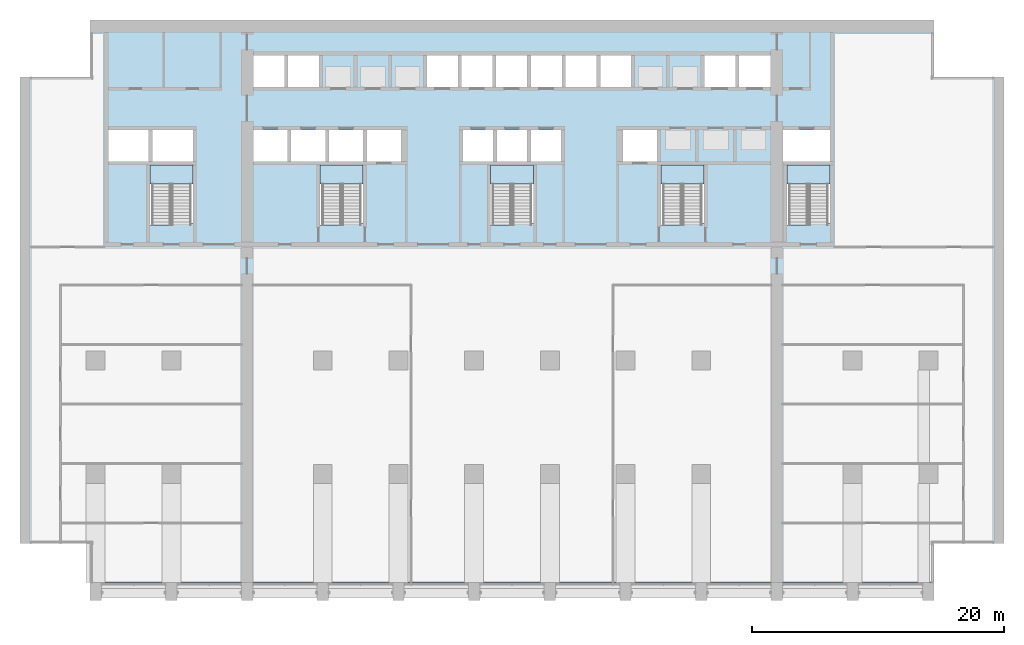
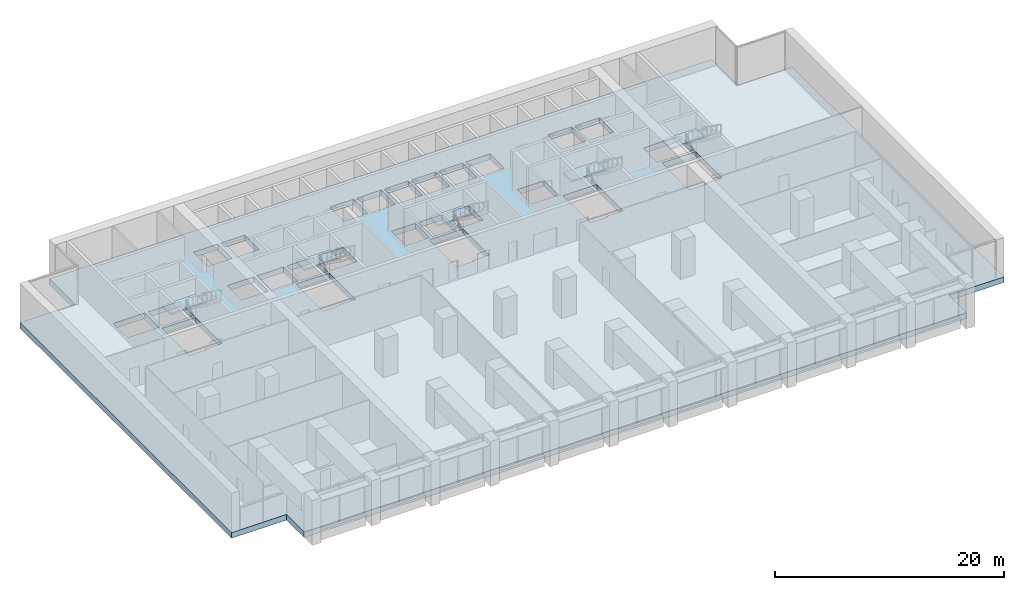
# One storey, part 8 of 18: 6 slabs, 5 elements without a shape of their own.
"""IFC4 building model written with IfcOpenShell, lengths in metres."""

from ifc_helpers import new_model, si_unit, direction, frame, origin, place, context, subcontext, project, spatial, polyline, outline, extrude, material, layer, layer_set, type_object, element, aggregate, save


model = new_model("IFC4")

# Units and contexts
model_context = context("Model", 3, precision=1e-05, world=origin(), true_north=direction((0.0, 1.0)))
body_context = subcontext(model_context, "Body", "Model", "MODEL_VIEW")
ifc_project = project(units=[si_unit("LENGTHUNIT", "METRE"), si_unit("AREAUNIT", "SQUARE_METRE"), si_unit("VOLUMEUNIT", "CUBIC_METRE"), si_unit("PLANEANGLEUNIT", "RADIAN"), si_unit("MASSUNIT", "GRAM", prefix="KILO")], contexts=[model_context])

# Site, building, storey
site_placement = place(None, origin())
site = spatial("IfcSite", under=ifc_project, at=site_placement, CompositionType="ELEMENT")
building_placement = place(site_placement, origin())
building = spatial("IfcBuilding", under=site, at=building_placement, Name="Calvaro Tower", CompositionType="ELEMENT")
storey_placement = place(building_placement, frame((0.0, 0.0, 90.0)))
storey = spatial("IfcBuildingStorey", under=building, at=storey_placement, Name="L22", CompositionType="ELEMENT", Elevation=90.0)

# Slab
ifc_material_1 = material(Name="Concrete C40/50", Category="concrete")
ifc_layer_1 = layer(ifc_material_1, 0.60009765625)
ifc_layer_set_1 = layer_set([ifc_layer_1], Name="Concrete C40/50")
slab_type_1 = type_object("IfcSlabType", Name="Floor slab 600 C40/50", PredefinedType="FLOOR", material=ifc_layer_set_1)
slab_1_placement = place(storey_placement, frame((0.0, 0.0, -0.60009765625)))
element("IfcSlab", 1, at=slab_1_placement, inside=storey, type_object=slab_type_1, Name="Floor slab", PredefinedType="FLOOR", context=body_context, shape_type="SweptSolid", body=[
    extrude(outline(polyline([(72.449951171875, 4.5), (72.449951171875, 1.39990234375), (5.550048828125, 1.39990234375), (5.550048828125, 4.5), (0.0, 4.5), (0.0, 41.5), (5.550048828125, 41.5), (5.550048828125, 46.0), (72.449951171875, 46.0), (72.449951171875, 41.5), (78.0, 41.5), (78.0, 4.5), (72.449951171875, 4.5)]), holes=[polyline([(12.0, 29.760009765625), (10.300048828125, 29.760009765625), (10.300048828125, 34.5), (12.0, 34.5), (13.699951171875, 34.5), (13.699951171875, 29.909912109375), (12.0, 29.909912109375), (12.0, 29.760009765625)]), polyline([(25.5, 29.760009765625), (23.800048828125, 29.760009765625), (23.800048828125, 34.5), (25.5, 34.5), (27.199951171875, 34.5), (27.199951171875, 29.909912109375), (25.5, 29.909912109375), (25.5, 29.760009765625)]), polyline([(39.0, 29.760009765625), (37.300048828125, 29.760009765625), (37.300048828125, 34.5), (39.0, 34.5), (40.699951171875, 34.5), (40.699951171875, 29.909912109375), (39.0, 29.909912109375), (39.0, 29.760009765625)]), polyline([(52.5, 29.760009765625), (50.800048828125, 29.760009765625), (50.800048828125, 34.5), (52.5, 34.5), (54.199951171875, 34.5), (54.199951171875, 29.909912109375), (52.5, 29.909912109375), (52.5, 29.760009765625)]), polyline([(62.5, 29.760009765625), (60.800048828125, 29.760009765625), (60.800048828125, 34.5), (62.5, 34.5), (64.199951171875, 34.5), (64.199951171875, 29.909912109375), (62.5, 29.909912109375), (62.5, 29.760009765625)]), polyline([(18.5, 34.800048828125), (21.199951171875, 34.800048828125), (21.199951171875, 37.300048828125), (18.5, 37.300048828125), (18.5, 34.800048828125)]), polyline([(21.5, 34.800048828125), (24.199951171875, 34.800048828125), (24.199951171875, 37.300048828125), (21.5, 37.300048828125), (21.5, 34.800048828125)]), polyline([(24.5, 34.800048828125), (27.199951171875, 34.800048828125), (27.199951171875, 37.300048828125), (24.5, 37.300048828125), (24.5, 34.800048828125)]), polyline([(35.10009765625, 34.800048828125), (37.5, 34.800048828125), (37.5, 37.300048828125), (35.10009765625, 37.300048828125), (35.10009765625, 34.800048828125)]), polyline([(37.800048828125, 34.800048828125), (40.199951171875, 34.800048828125), (40.199951171875, 37.300048828125), (37.800048828125, 37.300048828125), (37.800048828125, 34.800048828125)]), polyline([(40.5, 34.800048828125), (42.89990234375, 34.800048828125), (42.89990234375, 37.300048828125), (40.5, 37.300048828125), (40.5, 34.800048828125)]), polyline([(18.5, 40.699951171875), (20.949951171875, 40.699951171875), (20.949951171875, 43.199951171875), (18.5, 43.199951171875), (18.5, 40.699951171875)]), polyline([(21.25, 40.699951171875), (23.699951171875, 40.699951171875), (23.699951171875, 43.199951171875), (21.25, 43.199951171875), (21.25, 40.699951171875)]), polyline([(32.25, 40.699951171875), (34.699951171875, 40.699951171875), (34.699951171875, 43.199951171875), (32.25, 43.199951171875), (32.25, 40.699951171875)]), polyline([(35.0, 40.699951171875), (37.449951171875, 40.699951171875), (37.449951171875, 43.199951171875), (35.0, 43.199951171875), (35.0, 40.699951171875)]), polyline([(37.75, 40.699951171875), (40.199951171875, 40.699951171875), (40.199951171875, 43.199951171875), (37.75, 43.199951171875), (37.75, 40.699951171875)]), polyline([(40.5, 40.699951171875), (42.949951171875, 40.699951171875), (42.949951171875, 43.199951171875), (40.5, 43.199951171875), (40.5, 40.699951171875)]), polyline([(43.25, 40.699951171875), (45.699951171875, 40.699951171875), (45.699951171875, 43.199951171875), (43.25, 43.199951171875), (43.25, 40.699951171875)]), polyline([(46.0, 40.699951171875), (48.449951171875, 40.699951171875), (48.449951171875, 43.199951171875), (46.0, 43.199951171875), (46.0, 40.699951171875)]), polyline([(54.25, 40.699951171875), (56.699951171875, 40.699951171875), (56.699951171875, 43.199951171875), (54.25, 43.199951171875), (54.25, 40.699951171875)]), polyline([(57.0, 40.699951171875), (59.5, 40.699951171875), (59.5, 43.199951171875), (57.0, 43.199951171875), (57.0, 40.699951171875)]), polyline([(7.0, 34.800048828125), (10.199951171875, 34.800048828125), (10.199951171875, 37.300048828125), (7.0, 37.300048828125), (7.0, 34.800048828125)]), polyline([(10.5, 34.800048828125), (13.699951171875, 34.800048828125), (13.699951171875, 37.300048828125), (10.5, 37.300048828125), (10.5, 34.800048828125)]), polyline([(60.5, 34.800048828125), (64.199951171875, 34.800048828125), (64.199951171875, 37.300048828125), (60.5, 37.300048828125), (60.5, 34.800048828125)]), polyline([(27.5, 34.800048828125), (30.199951171875, 34.800048828125), (30.199951171875, 37.300048828125), (27.5, 37.300048828125), (27.5, 34.800048828125)]), polyline([(47.800048828125, 34.800048828125), (50.5, 34.800048828125), (50.5, 37.300048828125), (47.800048828125, 37.300048828125), (47.800048828125, 34.800048828125)])]), origin(), (0.0, 0.0, 1.0), 0.60009765625),
])

# Stair, slab
ifc_material_2 = material(Name="Concrete C40/50", Category="concrete")
stair_type = type_object("IfcStairType", Name="Exit stair 1400 2 flights", PredefinedType="HALF_TURN_STAIR", material=ifc_material_2)
stair_1_placement = place(storey_placement, origin())
stair_1 = element("IfcStair", 2, at=stair_1_placement, inside=storey, type_object=stair_type, Name="Exit stair S1", PredefinedType="HALF_TURN_STAIR")
ifc_material_3 = material(Name="Concrete C40/50", Category="concrete")
ifc_layer_2 = layer(ifc_material_3, 0.199951171875)
ifc_layer_set_2 = layer_set([ifc_layer_2], Name="Concrete C40/50")
slab_type_2 = type_object("IfcSlabType", Name="Stair landing", PredefinedType="LANDING", material=ifc_layer_set_2)
slab_2_placement = place(storey_placement, frame((0.0, 0.0, 2.300048828125)))
slab_2 = element("IfcSlab", 3, at=slab_2_placement, type_object=slab_type_2, Name="Exit stair 1, landing 1", PredefinedType="LANDING", context=body_context, shape_type="SweptSolid", body=[
    extrude(outline(polyline([(11.89990234375, 32.989990234375), (10.5, 32.989990234375), (10.5, 33.0), (10.300048828125, 33.0), (10.300048828125, 34.5), (10.5, 34.5), (11.89990234375, 34.5), (12.10009765625, 34.5), (13.5, 34.5), (13.699951171875, 34.5), (13.699951171875, 33.0), (13.5, 33.0), (13.5, 32.989990234375), (12.10009765625, 32.989990234375), (12.10009765625, 33.0), (11.89990234375, 33.0), (11.89990234375, 32.989990234375)])), origin(), (0.0, 0.0, 1.0), 0.199951171875),
])
aggregate(stair_1, [slab_2])

stair_2_placement = place(storey_placement, origin())
stair_2 = element("IfcStair", 4, at=stair_2_placement, inside=storey, type_object=stair_type, Name="Exit stair S2", PredefinedType="HALF_TURN_STAIR")
slab_3_placement = place(storey_placement, frame((0.0, 0.0, 2.300048828125)))
slab_3 = element("IfcSlab", 5, at=slab_3_placement, type_object=slab_type_2, Name="Exit stair 2, landing 1", PredefinedType="LANDING", context=body_context, shape_type="SweptSolid", body=[
    extrude(outline(polyline([(25.39990234375, 32.989990234375), (24.0, 32.989990234375), (24.0, 33.0), (23.800048828125, 33.0), (23.800048828125, 34.5), (24.0, 34.5), (25.39990234375, 34.5), (25.60009765625, 34.5), (27.0, 34.5), (27.199951171875, 34.5), (27.199951171875, 33.0), (27.0, 33.0), (27.0, 32.989990234375), (25.60009765625, 32.989990234375), (25.60009765625, 33.0), (25.39990234375, 33.0), (25.39990234375, 32.989990234375)])), origin(), (0.0, 0.0, 1.0), 0.199951171875),
])
aggregate(stair_2, [slab_3])

stair_3_placement = place(storey_placement, origin())
stair_3 = element("IfcStair", 6, at=stair_3_placement, inside=storey, type_object=stair_type, Name="Exit stair S3", PredefinedType="HALF_TURN_STAIR")
slab_4_placement = place(storey_placement, frame((0.0, 0.0, 2.300048828125)))
slab_4 = element("IfcSlab", 7, at=slab_4_placement, type_object=slab_type_2, Name="Exit stair 3, landing 1", PredefinedType="LANDING", context=body_context, shape_type="SweptSolid", body=[
    extrude(outline(polyline([(38.89990234375, 32.989990234375), (37.5, 32.989990234375), (37.5, 33.0), (37.300048828125, 33.0), (37.300048828125, 34.5), (37.5, 34.5), (38.89990234375, 34.5), (39.10009765625, 34.5), (40.5, 34.5), (40.699951171875, 34.5), (40.699951171875, 33.0), (40.5, 33.0), (40.5, 32.989990234375), (39.10009765625, 32.989990234375), (39.10009765625, 33.0), (38.89990234375, 33.0), (38.89990234375, 32.989990234375)])), origin(), (0.0, 0.0, 1.0), 0.199951171875),
])
aggregate(stair_3, [slab_4])

stair_4_placement = place(storey_placement, origin())
stair_4 = element("IfcStair", 8, at=stair_4_placement, inside=storey, type_object=stair_type, Name="Exit stair S4", PredefinedType="HALF_TURN_STAIR")
slab_5_placement = place(storey_placement, frame((0.0, 0.0, 2.300048828125)))
slab_5 = element("IfcSlab", 9, at=slab_5_placement, type_object=slab_type_2, Name="Exit stair 4, landing 1", PredefinedType="LANDING", context=body_context, shape_type="SweptSolid", body=[
    extrude(outline(polyline([(52.39990234375, 32.989990234375), (51.0, 32.989990234375), (51.0, 33.0), (50.800048828125, 33.0), (50.800048828125, 34.5), (51.0, 34.5), (52.39990234375, 34.5), (52.60009765625, 34.5), (54.0, 34.5), (54.199951171875, 34.5), (54.199951171875, 33.0), (54.0, 33.0), (54.0, 32.989990234375), (52.60009765625, 32.989990234375), (52.60009765625, 33.0), (52.39990234375, 33.0), (52.39990234375, 32.989990234375)])), origin(), (0.0, 0.0, 1.0), 0.199951171875),
])
aggregate(stair_4, [slab_5])

stair_5_placement = place(storey_placement, origin())
stair_5 = element("IfcStair", 10, at=stair_5_placement, inside=storey, type_object=stair_type, Name="Exit stair S5", PredefinedType="HALF_TURN_STAIR")
slab_6_placement = place(storey_placement, frame((0.0, 0.0, 2.300048828125)))
slab_6 = element("IfcSlab", 11, at=slab_6_placement, type_object=slab_type_2, Name="Exit stair 5, landing 1", PredefinedType="LANDING", context=body_context, shape_type="SweptSolid", body=[
    extrude(outline(polyline([(62.39990234375, 32.989990234375), (61.0, 32.989990234375), (61.0, 33.0), (60.800048828125, 33.0), (60.800048828125, 34.5), (61.0, 34.5), (62.39990234375, 34.5), (62.60009765625, 34.5), (64.0, 34.5), (64.199951171875, 34.5), (64.199951171875, 33.0), (64.0, 33.0), (64.0, 32.989990234375), (62.60009765625, 32.989990234375), (62.60009765625, 33.0), (62.39990234375, 33.0), (62.39990234375, 32.989990234375)])), origin(), (0.0, 0.0, 1.0), 0.199951171875),
])
aggregate(stair_5, [slab_6])

save(model, "model.ifc")
